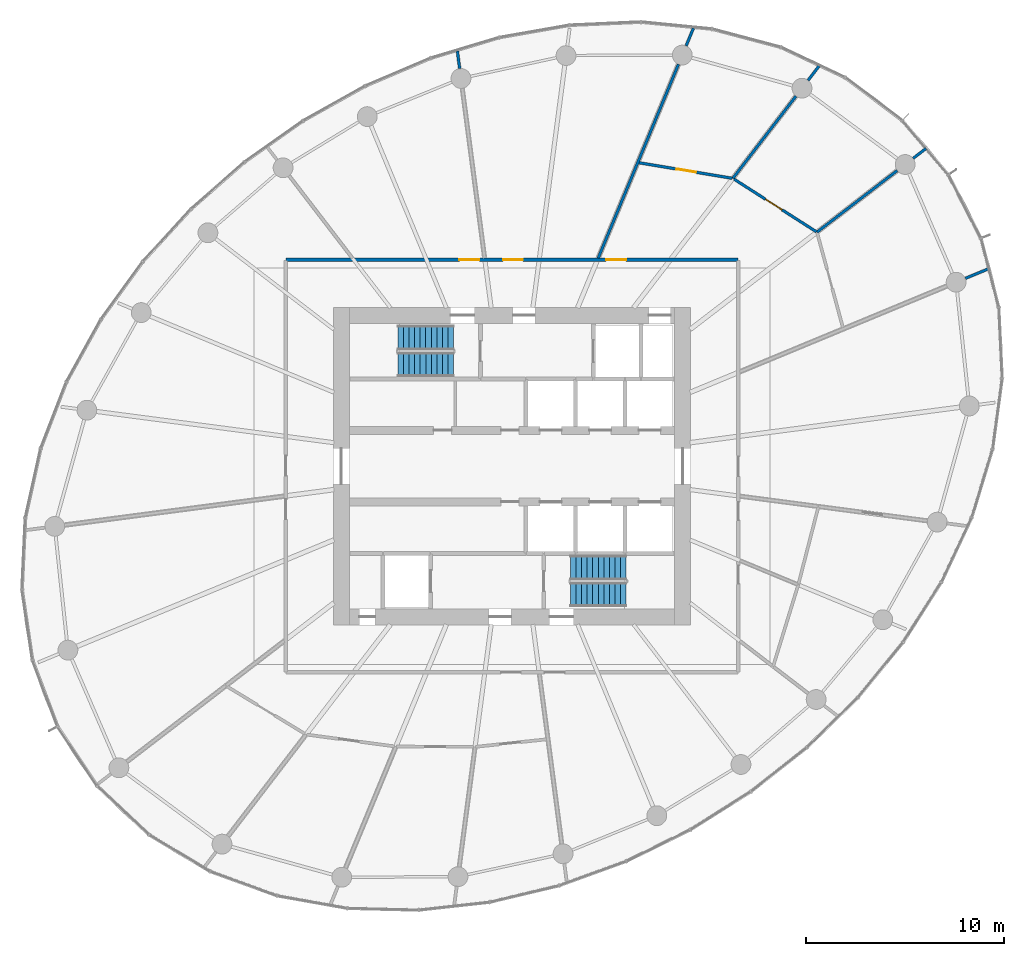
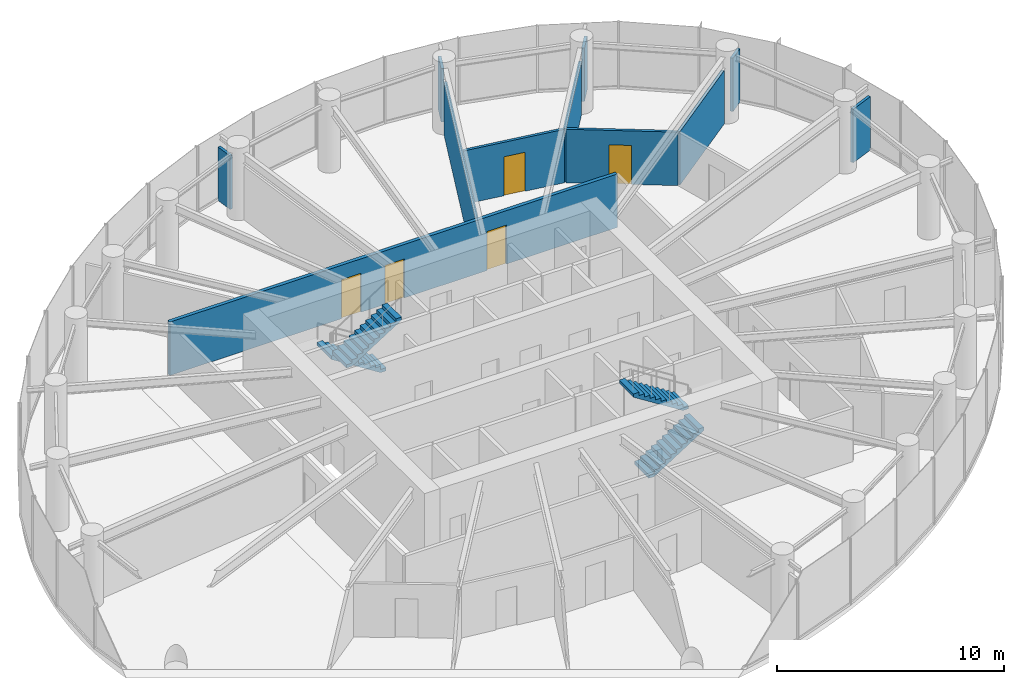
# One storey, part 11 of 14: 11 walls, 5 doors, 4 stair flights, 5 openings, 2 elements without a shape of their own.
"""IFC4 building model written with IfcOpenShell, lengths in metres."""

from ifc_helpers import new_model, si_unit, direction, frame, frame_2d, origin, place, context, subcontext, project, spatial, line, indexed_curve, rectangle, outline, extrude, source, transform, mapped, material, layer, layer_set, type_object, element, fill, aggregate, save


model = new_model("IFC4")

# Units and contexts
model_context = context("Model", 3, precision=1e-05, world=origin(), true_north=direction((0.0, 1.0)))
body_context = subcontext(model_context, "Body", "Model", "MODEL_VIEW")
ifc_project = project(units=[si_unit("LENGTHUNIT", "METRE"), si_unit("AREAUNIT", "SQUARE_METRE"), si_unit("VOLUMEUNIT", "CUBIC_METRE"), si_unit("PLANEANGLEUNIT", "RADIAN"), si_unit("MASSUNIT", "GRAM", prefix="KILO")], contexts=[model_context])

# Site, building, storey
site_placement = place(None, origin())
site = spatial("IfcSite", under=ifc_project, at=site_placement, CompositionType="ELEMENT")
building_placement = place(site_placement, origin())
building = spatial("IfcBuilding", under=site, at=building_placement, Name="Spindrift Exchange Tower", CompositionType="ELEMENT")
storey_placement = place(building_placement, frame((0.0, 0.0, 140.89990234375)))
storey = spatial("IfcBuildingStorey", under=building, at=storey_placement, Name="L33", CompositionType="ELEMENT", Elevation=140.89990234375)

# Wall, openings, doors
ifc_material_1 = material(Name="Fire-rated plasterboard partition", Category="gypsum")
ifc_layer_1 = layer(ifc_material_1, 0.179931640625)
ifc_layer_set_1 = layer_set([ifc_layer_1], Name="W-CORR-180")
wall_type_1 = type_object("IfcWallType", Name="W-CORR-180", PredefinedType="PARTITIONING", material=ifc_layer_set_1)
wall_1_placement = place(storey_placement, frame((40.60009765625, 58.39990234375, 0.0), z_axis=(0.0, 0.0, 1.0), x_axis=(1.0, 0.0, 0.0)))
wall_1 = element("IfcWall", 1, at=wall_1_placement, inside=storey, type_object=wall_type_1, Name="L33 Partition wall 27", PredefinedType="PARTITIONING", context=body_context, shape_type="SweptSolid", body=[
    extrude(rectangle(XDim=22.7998046875, YDim=0.179931640625, at=frame_2d((11.39990234375, 0.0))), origin(), (0.0, 0.0, 1.0), 2.880126953125),
])
opening_1_placement = place(wall_1_placement, frame((16.14990234375, 0.0, 0.0)))
opening_1 = element("IfcOpeningElement", 2, at=opening_1_placement, cuts=wall_1, Name="Opening L33-D23", PredefinedType="OPENING", context=body_context, shape_type="SweptSolid", body=[
    extrude(rectangle(XDim=1.0, YDim=2.10009765625, at=frame_2d((0.5, 1.050048828125))), frame((0.0, 0.099853515625, 0.0), z_axis=(0.0, -1.0, 0.0), x_axis=(1.0, 0.0, 0.0)), (0.0, 0.0, 1.0), 0.199951171875),
])
opening_2_placement = place(wall_1_placement, frame((10.949951171875, 0.0, 0.0)))
opening_2 = element("IfcOpeningElement", 3, at=opening_2_placement, cuts=wall_1, Name="Opening L33-D27", PredefinedType="OPENING", context=body_context, shape_type="SweptSolid", body=[
    extrude(rectangle(XDim=1.0, YDim=2.10009765625, at=frame_2d((0.5, 1.050048828125))), frame((0.0, 0.099853515625, 0.0), z_axis=(0.0, -1.0, 0.0), x_axis=(1.0, 0.0, 0.0)), (0.0, 0.0, 1.0), 0.199951171875),
])
opening_3_placement = place(wall_1_placement, frame((8.75, 0.0, 0.0)))
opening_3 = element("IfcOpeningElement", 4, at=opening_3_placement, cuts=wall_1, Name="Opening L33-D28", PredefinedType="OPENING", context=body_context, shape_type="SweptSolid", body=[
    extrude(rectangle(XDim=1.0, YDim=2.10009765625, at=frame_2d((0.5, 1.050048828125))), frame((0.0, 0.099853515625, 0.0), z_axis=(0.0, -1.0, 0.0), x_axis=(1.0, 0.0, 0.0)), (0.0, 0.0, 1.0), 0.199951171875),
])
ifc_material_2 = material(Name="Timber-core fire door", Category="wood")
door_type = type_object("IfcDoorType", Name="DR-ROOM-1000", OperationType="NOTDEFINED", PredefinedType="DOOR", material=ifc_material_2)
shared_shape = source(origin(), body_context, "Body", "SweptSolid", [
    extrude(rectangle(XDim=1.0, YDim=2.10009765625, at=frame_2d((0.5, 1.050048828125))), frame((0.0, 0.02490234375, 0.0), z_axis=(0.0, -1.0, 0.0), x_axis=(1.0, 0.0, 0.0)), (0.0, 0.0, 1.0), 0.050048828125),
])
door_1_placement = place(opening_1_placement, origin())
door_1 = element("IfcDoor", 5, at=door_1_placement, inside=storey, type_object=door_type, Name="L33 Door 23", OperationType="SINGLE_SWING_RIGHT", OverallHeight=2.10009765625, OverallWidth=1.0, PredefinedType="DOOR", context=body_context, shape_type="MappedRepresentation", body=[
    mapped(shared_shape, transform((0.0, 0.0, 0.0), scale=1.0)),
])
fill(opening_1, door_1)
door_2_placement = place(opening_2_placement, origin())
door_2 = element("IfcDoor", 6, at=door_2_placement, inside=storey, type_object=door_type, Name="L33 Door 27", OperationType="SINGLE_SWING_RIGHT", OverallHeight=2.10009765625, OverallWidth=1.0, PredefinedType="DOOR", context=body_context, shape_type="MappedRepresentation", body=[
    mapped(shared_shape, transform((0.0, 0.0, 0.0), scale=1.0)),
])
fill(opening_2, door_2)
door_3_placement = place(opening_3_placement, origin())
door_3 = element("IfcDoor", 7, at=door_3_placement, inside=storey, type_object=door_type, Name="L33 Door 28", OperationType="SINGLE_SWING_LEFT", OverallHeight=2.10009765625, OverallWidth=1.0, PredefinedType="DOOR", context=body_context, shape_type="MappedRepresentation", body=[
    mapped(shared_shape, transform((0.0, 0.0, 0.0), scale=1.0)),
])
fill(opening_3, door_3)

# Walls
ifc_layer_2 = layer(ifc_material_1, 0.139892578125)
ifc_layer_set_2 = layer_set([ifc_layer_2], Name="W-PART-140")
wall_type_2 = type_object("IfcWallType", Name="W-PART-140", PredefinedType="PARTITIONING", material=ifc_layer_set_2)
wall_2_placement = place(storey_placement, frame((60.393798828125, 68.264404296875, 0.0), z_axis=(0.0, 0.0, 1.0), x_axis=(-0.382674486363, -0.923883238016, 0.0)))
element("IfcWall", 8, at=wall_2_placement, inside=storey, type_object=wall_type_2, Name="L33 Partition wall 33", PredefinedType="PARTITIONING", context=body_context, shape_type="SweptSolid", body=[
    extrude(rectangle(XDim=10.57958984375, YDim=0.139892578125, at=frame_2d((5.289794921875, 0.0))), origin(), (0.0, 0.0, 1.0), 2.880126953125),
])
wall_3_placement = place(storey_placement, frame((63.135986328125, 62.512451171875, 0.0), z_axis=(0.0, 0.0, 1.0), x_axis=(0.608759991658, 0.793354443207, 0.0)))
element("IfcWall", 9, at=wall_3_placement, inside=storey, type_object=wall_type_2, Name="L33 Partition wall 42", PredefinedType="PARTITIONING", context=body_context, shape_type="SweptSolid", body=[
    extrude(rectangle(XDim=5.226806640625, YDim=0.139892578125, at=frame_2d((2.61328125, 0.0))), origin(), (0.0, 0.0, 1.0), 2.880126953125),
])
wall_4_placement = place(storey_placement, frame((67.37890625, 59.80078125, 0.0), z_axis=(0.0, 0.0, 1.0), x_axis=(0.79338135979, 0.608724911547, 0.0)))
element("IfcWall", 10, at=wall_4_placement, inside=storey, type_object=wall_type_2, Name="L33 Partition wall 43", PredefinedType="PARTITIONING", context=body_context, shape_type="SweptSolid", body=[
    extrude(rectangle(XDim=5.100830078125, YDim=0.139892578125, at=frame_2d((2.55029296875, 0.0))), origin(), (0.0, 0.0, 1.0), 2.880126953125),
])

# Wall, opening, door
wall_5_placement = place(storey_placement, frame((63.195068359375, 62.474609375, 0.0), z_axis=(0.0, 0.0, 1.0), x_axis=(0.842625182258, -0.538500512743, 0.0)))
wall_5 = element("IfcWall", 11, at=wall_5_placement, inside=storey, type_object=wall_type_2, Name="L33 Partition wall 45", PredefinedType="PARTITIONING", context=body_context, shape_type="SweptSolid", body=[
    extrude(rectangle(XDim=4.935302734375, YDim=0.139892578125, at=frame_2d((2.4677734375, 0.0))), origin(), (0.0, 0.0, 1.0), 2.880126953125),
])
opening_4_placement = place(wall_5_placement, frame((1.885498046875, 0.0, 0.0)))
opening_4 = element("IfcOpeningElement", 12, at=opening_4_placement, cuts=wall_5, Name="Opening L33-D25", PredefinedType="OPENING", context=body_context, shape_type="SweptSolid", body=[
    extrude(rectangle(XDim=1.0, YDim=2.10009765625, at=frame_2d((0.5, 1.050048828125))), frame((0.0, 0.079833984375, 0.0), z_axis=(0.0, -1.0, 0.0), x_axis=(1.0, 0.0, 0.0)), (0.0, 0.0, 1.0), 0.159912109375),
])
door_4_placement = place(opening_4_placement, origin())
door_4 = element("IfcDoor", 13, at=door_4_placement, inside=storey, type_object=door_type, Name="L33 Door 25", OperationType="SINGLE_SWING_RIGHT", OverallHeight=2.10009765625, OverallWidth=1.0, PredefinedType="DOOR", context=body_context, shape_type="MappedRepresentation", body=[
    mapped(shared_shape, transform((0.0, 0.0, 0.0), scale=1.0)),
])
fill(opening_4, door_4)

wall_6_placement = place(storey_placement, frame((58.412109375, 63.297607421875, 0.0), z_axis=(0.0, 0.0, 1.0), x_axis=(0.986464551943, -0.163974655849, 0.0)))
wall_6 = element("IfcWall", 14, at=wall_6_placement, inside=storey, type_object=wall_type_2, Name="L33 Partition wall 46", PredefinedType="PARTITIONING", context=body_context, shape_type="SweptSolid", body=[
    extrude(rectangle(XDim=4.758544921875, YDim=0.139892578125, at=frame_2d((2.37939453125, 0.0))), origin(), (0.0, 0.0, 1.0), 2.880126953125),
])
opening_5_placement = place(wall_6_placement, frame((1.908447265625, 0.0, 0.0)))
opening_5 = element("IfcOpeningElement", 15, at=opening_5_placement, cuts=wall_6, Name="Opening L33-D26", PredefinedType="OPENING", context=body_context, shape_type="SweptSolid", body=[
    extrude(rectangle(XDim=1.0, YDim=2.10009765625, at=frame_2d((0.5, 1.050048828125))), frame((0.0, 0.079833984375, 0.0), z_axis=(0.0, -1.0, 0.0), x_axis=(1.0, 0.0, 0.0)), (0.0, 0.0, 1.0), 0.159912109375),
])
door_5_placement = place(opening_5_placement, origin())
door_5 = element("IfcDoor", 16, at=door_5_placement, inside=storey, type_object=door_type, Name="L33 Door 26", OperationType="SINGLE_SWING_LEFT", OverallHeight=2.10009765625, OverallWidth=1.0, PredefinedType="DOOR", context=body_context, shape_type="MappedRepresentation", body=[
    mapped(shared_shape, transform((0.0, 0.0, 0.0), scale=1.0)),
])
fill(opening_5, door_5)

# Walls
wall_7_placement = place(storey_placement, frame((74.86328125, 57.47021484375, 0.0), z_axis=(0.0, 0.0, 1.0), x_axis=(0.923875488976, 0.382693194178, 0.0)))
element("IfcWall", 17, at=wall_7_placement, inside=storey, type_object=wall_type_2, Name="L33 Partition wall 58", PredefinedType="PARTITIONING", context=body_context, shape_type="SweptSolid", body=[
    extrude(rectangle(XDim=1.26318359375, YDim=0.139892578125, at=frame_2d((0.631591796875, 0.0))), origin(), (0.0, 0.0, 1.0), 2.880126953125),
])
wall_8_placement = place(storey_placement, frame((60.7802734375, 69.197509765625, 0.0), z_axis=(0.0, 0.0, 1.0), x_axis=(0.382619989809, 0.923905808726, 0.0)))
element("IfcWall", 18, at=wall_8_placement, inside=storey, type_object=wall_type_2, Name="L33 Partition wall 61", PredefinedType="PARTITIONING", context=body_context, shape_type="SweptSolid", body=[
    extrude(rectangle(XDim=0.96484375, YDim=0.139892578125, at=frame_2d((0.482421875, 0.0))), origin(), (0.0, 0.0, 1.0), 2.880126953125),
])
wall_9_placement = place(storey_placement, frame((66.931884765625, 67.459716796875, 0.0), z_axis=(0.0, 0.0, 1.0), x_axis=(0.608853638779, 0.793282576731, 0.0)))
element("IfcWall", 19, at=wall_9_placement, inside=storey, type_object=wall_type_2, Name="L33 Partition wall 64", PredefinedType="PARTITIONING", context=body_context, shape_type="SweptSolid", body=[
    extrude(rectangle(XDim=0.922607421875, YDim=0.139892578125, at=frame_2d((0.46142578125, 0.0))), origin(), (0.0, 0.0, 1.0), 2.880126953125),
])
wall_10_placement = place(storey_placement, frame((49.360107421875, 68.051513671875, 0.0), z_axis=(0.0, 0.0, 1.0), x_axis=(-0.130404378549, 0.991460890835, 0.0)))
element("IfcWall", 20, at=wall_10_placement, inside=storey, type_object=wall_type_2, Name="L33 Partition wall 66", PredefinedType="PARTITIONING", context=body_context, shape_type="SweptSolid", body=[
    extrude(rectangle(XDim=0.8818359375, YDim=0.139892578125, at=frame_2d((0.44091796875, 0.0))), origin(), (0.0, 0.0, 1.0), 2.880126953125),
])
wall_11_placement = place(storey_placement, frame((72.22607421875, 63.52001953125, 0.0), z_axis=(0.0, 0.0, 1.0), x_axis=(0.793312684763, 0.608814408661, 0.0)))
element("IfcWall", 21, at=wall_11_placement, inside=storey, type_object=wall_type_2, Name="L33 Partition wall 69", PredefinedType="PARTITIONING", context=body_context, shape_type="SweptSolid", body=[
    extrude(rectangle(XDim=0.81640625, YDim=0.139892578125, at=frame_2d((0.408203125, 0.0))), origin(), (0.0, 0.0, 1.0), 2.880126953125),
])

# Stair, stair flights
ifc_material_3 = material(Name="Concrete 50 MPa", Category="concrete")
stair_type = type_object("IfcStairType", Name="ST-1250-R177", PredefinedType="HALF_TURN_STAIR", material=ifc_material_3)
stair_1_placement = place(storey_placement, origin())
stair_1 = element("IfcStair", 22, at=stair_1_placement, inside=storey, type_object=stair_type, Name="L33 Exit stair ST1", PredefinedType="HALF_TURN_STAIR")
stair_flight_type = type_object("IfcStairFlightType", Name="STF-1250-R177", PredefinedType="STRAIGHT", material=ifc_material_3)
stair_flight_1_placement = place(storey_placement, frame((49.050048828125, 54.47509765625, 0.0), z_axis=(0.0, 0.0, 1.0), x_axis=(-1.0, 0.0, 0.0)))
stair_flight_1 = element("IfcStairFlight", 23, at=stair_flight_1_placement, type_object=stair_flight_type, Name="ST1 flight 1", NumberOfRisers=11, NumberOfTreads=10, PredefinedType="STRAIGHT", RiserHeight=0.177272727, TreadLength=0.28, context=body_context, shape_type="SweptSolid", body=[
    extrude(outline(indexed_curve([(0.0, 0.0), (0.0, 0.177734375), (0.2802734375, 0.177734375), (0.2802734375, 0.3544921875), (0.5595703125, 0.3544921875), (0.5595703125, 0.5322265625), (0.83984375, 0.5322265625), (0.83984375, 0.708984375), (1.1201171875, 0.708984375), (1.1201171875, 0.88671875), (1.400390625, 0.88671875), (1.400390625, 1.0634765625), (1.6796875, 1.0634765625), (1.6796875, 1.2412109375), (1.9599609375, 1.2412109375), (1.9599609375, 1.41796875), (2.240234375, 1.41796875), (2.240234375, 1.595703125), (2.51953125, 1.595703125), (2.51953125, 1.7724609375), (2.7998046875, 1.7724609375), (2.7998046875, 1.9501953125), (2.7998046875, 1.595703125), (0.2802734375, 0.0)], segments=[line(1, 2, 3, 4, 5, 6, 7, 8, 9, 10, 11, 12, 13, 14, 15, 16, 17, 18, 19, 20, 21, 22, 23, 24, 1)], self_intersect=False)), frame((0.0, 0.625, 0.0), z_axis=(0.0, -1.0, 0.0), x_axis=(1.0, 0.0, 0.0)), (0.0, 0.0, 1.0), 1.25),
])
stair_flight_2_placement = place(storey_placement, frame((46.25, 53.125, 1.9501953125), z_axis=(0.0, 0.0, 1.0), x_axis=(1.0, 0.0, 0.0)))
stair_flight_2 = element("IfcStairFlight", 24, at=stair_flight_2_placement, type_object=stair_flight_type, Name="ST1 flight 2", NumberOfRisers=11, NumberOfTreads=10, PredefinedType="STRAIGHT", RiserHeight=0.177272727, TreadLength=0.28, context=body_context, shape_type="SweptSolid", body=[
    extrude(outline(indexed_curve([(0.0, 0.0), (0.0, 0.177734375), (0.2802734375, 0.177734375), (0.2802734375, 0.3544921875), (0.5595703125, 0.3544921875), (0.5595703125, 0.5322265625), (0.83984375, 0.5322265625), (0.83984375, 0.708984375), (1.1201171875, 0.708984375), (1.1201171875, 0.88671875), (1.400390625, 0.88671875), (1.400390625, 1.0634765625), (1.6796875, 1.0634765625), (1.6796875, 1.2412109375), (1.9599609375, 1.2412109375), (1.9599609375, 1.41796875), (2.240234375, 1.41796875), (2.240234375, 1.595703125), (2.51953125, 1.595703125), (2.51953125, 1.7724609375), (2.7998046875, 1.7724609375), (2.7998046875, 1.9501953125), (2.7998046875, 1.595703125), (0.2802734375, 0.0)], segments=[line(1, 2, 3, 4, 5, 6, 7, 8, 9, 10, 11, 12, 13, 14, 15, 16, 17, 18, 19, 20, 21, 22, 23, 24, 1)], self_intersect=False)), frame((0.0, 0.625, 0.0), z_axis=(0.0, -1.0, 0.0), x_axis=(1.0, 0.0, 0.0)), (0.0, 0.0, 1.0), 1.25),
])
aggregate(stair_1, [stair_flight_1, stair_flight_2])

stair_2_placement = place(storey_placement, origin())
stair_2 = element("IfcStair", 25, at=stair_2_placement, inside=storey, type_object=stair_type, Name="L33 Exit stair ST2", PredefinedType="HALF_TURN_STAIR")
stair_flight_3_placement = place(storey_placement, frame((54.949951171875, 41.52490234375, 0.0), z_axis=(0.0, 0.0, 1.0), x_axis=(1.0, 0.0, 0.0)))
stair_flight_3 = element("IfcStairFlight", 26, at=stair_flight_3_placement, type_object=stair_flight_type, Name="ST2 flight 1", NumberOfRisers=11, NumberOfTreads=10, PredefinedType="STRAIGHT", RiserHeight=0.177272727, TreadLength=0.28, context=body_context, shape_type="SweptSolid", body=[
    extrude(outline(indexed_curve([(0.0, 0.0), (0.0, 0.177734375), (0.2802734375, 0.177734375), (0.2802734375, 0.3544921875), (0.5595703125, 0.3544921875), (0.5595703125, 0.5322265625), (0.83984375, 0.5322265625), (0.83984375, 0.708984375), (1.1201171875, 0.708984375), (1.1201171875, 0.88671875), (1.400390625, 0.88671875), (1.400390625, 1.0634765625), (1.6796875, 1.0634765625), (1.6796875, 1.2412109375), (1.9599609375, 1.2412109375), (1.9599609375, 1.41796875), (2.240234375, 1.41796875), (2.240234375, 1.595703125), (2.51953125, 1.595703125), (2.51953125, 1.7724609375), (2.7998046875, 1.7724609375), (2.7998046875, 1.9501953125), (2.7998046875, 1.595703125), (0.2802734375, 0.0)], segments=[line(1, 2, 3, 4, 5, 6, 7, 8, 9, 10, 11, 12, 13, 14, 15, 16, 17, 18, 19, 20, 21, 22, 23, 24, 1)], self_intersect=False)), frame((0.0, 0.625, 0.0), z_axis=(0.0, -1.0, 0.0), x_axis=(1.0, 0.0, 0.0)), (0.0, 0.0, 1.0), 1.25),
])
stair_flight_4_placement = place(storey_placement, frame((57.75, 42.875, 1.9501953125), z_axis=(0.0, 0.0, 1.0), x_axis=(-1.0, 0.0, 0.0)))
stair_flight_4 = element("IfcStairFlight", 27, at=stair_flight_4_placement, type_object=stair_flight_type, Name="ST2 flight 2", NumberOfRisers=11, NumberOfTreads=10, PredefinedType="STRAIGHT", RiserHeight=0.177272727, TreadLength=0.28, context=body_context, shape_type="SweptSolid", body=[
    extrude(outline(indexed_curve([(0.0, 0.0), (0.0, 0.177734375), (0.2802734375, 0.177734375), (0.2802734375, 0.3544921875), (0.5595703125, 0.3544921875), (0.5595703125, 0.5322265625), (0.83984375, 0.5322265625), (0.83984375, 0.708984375), (1.1201171875, 0.708984375), (1.1201171875, 0.88671875), (1.400390625, 0.88671875), (1.400390625, 1.0634765625), (1.6796875, 1.0634765625), (1.6796875, 1.2412109375), (1.9599609375, 1.2412109375), (1.9599609375, 1.41796875), (2.240234375, 1.41796875), (2.240234375, 1.595703125), (2.51953125, 1.595703125), (2.51953125, 1.7724609375), (2.7998046875, 1.7724609375), (2.7998046875, 1.9501953125), (2.7998046875, 1.595703125), (0.2802734375, 0.0)], segments=[line(1, 2, 3, 4, 5, 6, 7, 8, 9, 10, 11, 12, 13, 14, 15, 16, 17, 18, 19, 20, 21, 22, 23, 24, 1)], self_intersect=False)), frame((0.0, 0.625, 0.0), z_axis=(0.0, -1.0, 0.0), x_axis=(1.0, 0.0, 0.0)), (0.0, 0.0, 1.0), 1.25),
])
aggregate(stair_2, [stair_flight_3, stair_flight_4])

save(model, "model.ifc")
